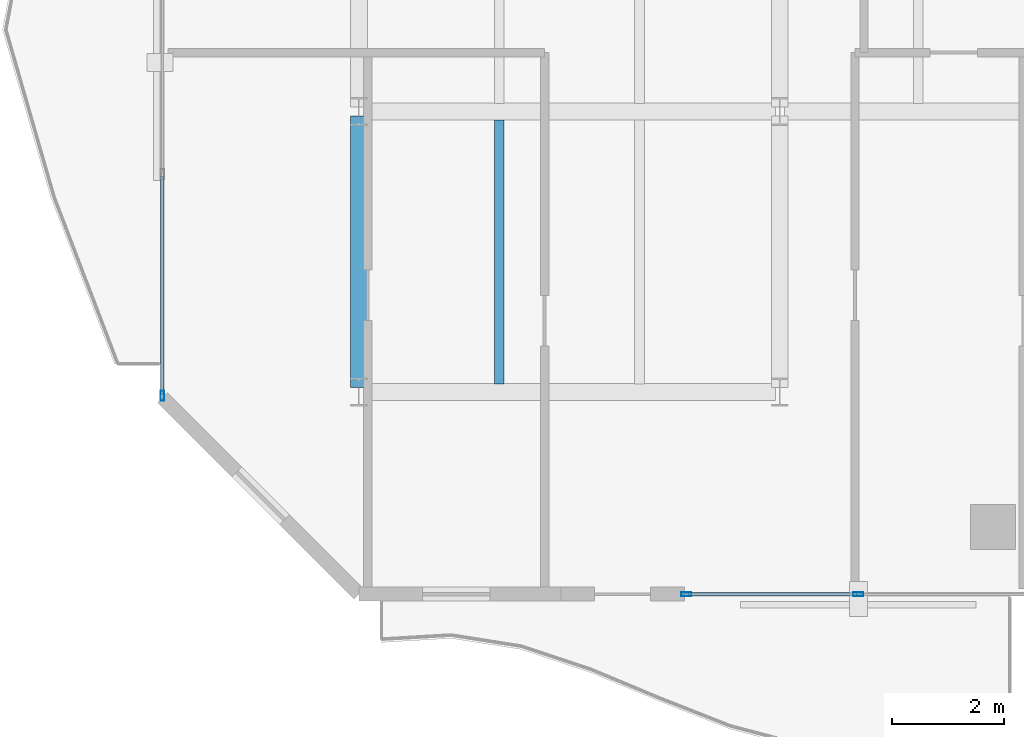
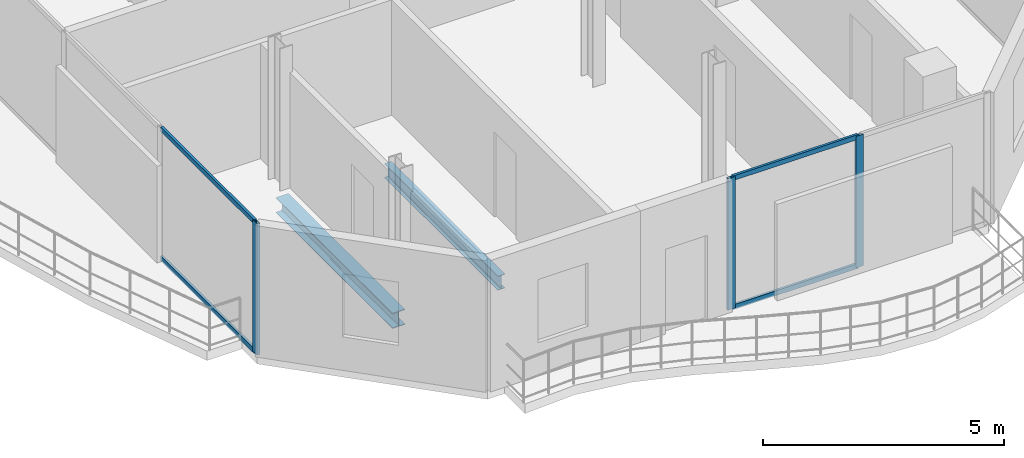
# One storey, part 3 of 23: 7 members, 2 beams, 2 elements without a shape of their own.
"""IFC4 building model written with IfcOpenShell, lengths in metres."""

from ifc_helpers import new_model, si_unit, direction, frame, origin, origin_2d, place, context, subcontext, project, spatial, hollow_rectangle, i_section, extrude, material, layer, layer_set, material_profile, profile_set, type_object, element, aggregate, save


model = new_model("IFC4")

# Units and contexts
model_context = context("Model", 3, precision=1e-05, world=origin(), true_north=direction((0.0, 1.0)))
body_context = subcontext(model_context, "Body", "Model", "MODEL_VIEW")
ifc_project = project(units=[si_unit("LENGTHUNIT", "METRE"), si_unit("AREAUNIT", "SQUARE_METRE"), si_unit("VOLUMEUNIT", "CUBIC_METRE"), si_unit("PLANEANGLEUNIT", "RADIAN"), si_unit("MASSUNIT", "GRAM", prefix="KILO")], contexts=[model_context])

# Site, building, storey
site_placement = place(None, origin())
site = spatial("IfcSite", under=ifc_project, at=site_placement, CompositionType="ELEMENT")
building_placement = place(site_placement, origin())
building = spatial("IfcBuilding", under=site, at=building_placement, Name="Catumbela Crestline Tower", CompositionType="ELEMENT")
storey_placement = place(building_placement, frame((0.0, 0.0, 168.6)))
storey = spatial("IfcBuildingStorey", under=building, at=storey_placement, Name="L43", CompositionType="ELEMENT", Elevation=168.6)

# Beams
ifc_material_1 = material(Name="Structural steel S355J2", Category="steel")
ifc_material_profile_1 = material_profile(ifc_material_1, i_section(OverallWidth=0.3, OverallDepth=0.39, WebThickness=0.011, FlangeThickness=0.019, FilletRadius=0.027, at=origin_2d()), Name="HEA 400")
ifc_profile_set_1 = profile_set([ifc_material_profile_1], Name="Structural steel S355J2")
beam_type_1 = type_object("IfcBeamType", Name="BG-HEA400", PredefinedType="BEAM", material=ifc_profile_set_1)
beam_1_placement = place(storey_placement, frame((8.5, 8.68, -0.455), z_axis=(0.0, 1.0, 0.0), x_axis=(-1.0, 0.0, 0.0)))
element("IfcBeam", 1, at=beam_1_placement, inside=storey, type_object=beam_type_1, Name="L43 Beam BM-L43-WNS37", PredefinedType="BEAM", context=body_context, shape_type="SweptSolid", body=[
    extrude(i_section(OverallWidth=0.3, OverallDepth=0.39, WebThickness=0.011, FlangeThickness=0.019, FilletRadius=0.027, at=origin_2d()), origin(), (0.0, 0.0, 1.0), 4.84),
])
ifc_material_profile_2 = material_profile(ifc_material_1, i_section(OverallWidth=0.17, OverallDepth=0.36, WebThickness=0.008, FlangeThickness=0.0127, FilletRadius=0.018, at=origin_2d()), Name="IPE 360")
ifc_profile_set_2 = profile_set([ifc_material_profile_2], Name="Structural steel S355J2")
beam_type_2 = type_object("IfcBeamType", Name="BJ-IPE360", PredefinedType="JOIST", material=ifc_profile_set_2)
beam_2_placement = place(storey_placement, frame((11.0, 8.747, -0.44), z_axis=(0.0, 1.0, 0.0), x_axis=(-1.0, 0.0, 0.0)))
element("IfcBeam", 2, at=beam_2_placement, inside=storey, type_object=beam_type_2, Name="L43 Joist JS-L43-WG44", PredefinedType="JOIST", context=body_context, shape_type="SweptSolid", body=[
    extrude(i_section(OverallWidth=0.17, OverallDepth=0.36, WebThickness=0.008, FlangeThickness=0.0127, FilletRadius=0.018, at=origin_2d()), origin(), (0.0, 0.0, 1.0), 4.706),
])

# Curtain wall, members
ifc_material_2 = material(Name="Aluminium alloy AW-6060-T66", Category="aluminium")
ifc_layer = layer(ifc_material_2, 0.18, Name="Aluminium alloy AW-6060-T66")
ifc_layer_set = layer_set([ifc_layer], Name="Aluminium alloy AW-6060-T66")
curtain_wall_type = type_object("IfcCurtainWallType", Name="CWU-Z3", PredefinedType="USERDEFINED", material=ifc_layer_set)
curtain_wall_1_placement = place(storey_placement, origin())
curtain_wall_1 = element("IfcCurtainWall", 3, at=curtain_wall_1_placement, inside=storey, type_object=curtain_wall_type, Name="L43 Unitised Curtain Wall CW-L43-E0S2", ObjectType="UNITISED", PredefinedType="USERDEFINED")
ifc_material_profile_3 = material_profile(ifc_material_2, hollow_rectangle(XDim=0.065, YDim=0.18, WallThickness=0.004, at=origin_2d()), Name="ALU 180x65x4")
ifc_profile_set_3 = profile_set([ifc_material_profile_3], Name="Aluminium alloy AW-6060-T66")
member_type_1 = type_object("IfcMemberType", Name="MUL-180X65", PredefinedType="MULLION", material=ifc_profile_set_3)
member_1_placement = place(storey_placement, frame((14.3325, 5.0, 0.0), z_axis=(0.0, 0.0, 1.0), x_axis=(0.0, 1.0, 0.0)))
member_1 = element("IfcMember", 4, at=member_1_placement, type_object=member_type_1, Name="CWU-Z3 mullion 1", PredefinedType="MULLION", context=body_context, shape_type="SweptSolid", body=[
    extrude(hollow_rectangle(XDim=0.065, YDim=0.18, WallThickness=0.004, at=origin_2d()), origin(), (0.0, 0.0, 1.0), 3.33),
])
member_2_placement = place(storey_placement, frame((17.4, 5.0, 0.0), z_axis=(0.0, 0.0, 1.0), x_axis=(0.0, 1.0, 0.0)))
member_2 = element("IfcMember", 5, at=member_2_placement, type_object=member_type_1, Name="CWU-Z3 mullion 2", PredefinedType="MULLION", context=body_context, shape_type="SweptSolid", body=[
    extrude(hollow_rectangle(XDim=0.065, YDim=0.18, WallThickness=0.004, at=origin_2d()), origin(), (0.0, 0.0, 1.0), 3.33),
])

# Curtain wall, member
curtain_wall_2_placement = place(storey_placement, origin())
curtain_wall_2 = element("IfcCurtainWall", 6, at=curtain_wall_2_placement, inside=storey, type_object=curtain_wall_type, Name="L43 Unitised Curtain Wall CW-L43-E9S2", ObjectType="UNITISED", PredefinedType="USERDEFINED")
member_3_placement = place(storey_placement, frame((5.0, 8.5325, 0.0), z_axis=(0.0, 0.0, 1.0), x_axis=(1.0, 0.0, 0.0)))
member_3 = element("IfcMember", 7, at=member_3_placement, type_object=member_type_1, Name="CWU-Z3 mullion 7", PredefinedType="MULLION", context=body_context, shape_type="SweptSolid", body=[
    extrude(hollow_rectangle(XDim=0.065, YDim=0.18, WallThickness=0.004, at=origin_2d()), origin(), (0.0, 0.0, 1.0), 3.33),
])

# Member
ifc_material_profile_4 = material_profile(ifc_material_2, hollow_rectangle(XDim=0.06, YDim=0.12, WallThickness=0.0035, at=origin_2d()), Name="ALU 120x60x3.5")
ifc_profile_set_4 = profile_set([ifc_material_profile_4], Name="Aluminium alloy AW-6060-T66")
member_type_2 = type_object("IfcMemberType", Name="TRN-120X60", PredefinedType="USERDEFINED", material=ifc_profile_set_4)
member_4_placement = place(storey_placement, frame((14.365, 5.0, 0.03), z_axis=(1.0, 0.0, 0.0), x_axis=(0.0, 1.0, 0.0)))
member_4 = element("IfcMember", 8, at=member_4_placement, type_object=member_type_2, Name="CWU-Z3 transom 1.1", ObjectType="TRANSOM", PredefinedType="USERDEFINED", context=body_context, shape_type="SweptSolid", body=[
    extrude(hollow_rectangle(XDim=0.06, YDim=0.12, WallThickness=0.0035, at=origin_2d()), origin(), (0.0, 0.0, 1.0), 3.0025),
])

member_5_placement = place(storey_placement, frame((14.365, 5.0, 3.3), z_axis=(1.0, 0.0, 0.0), x_axis=(0.0, 1.0, 0.0)))
member_5 = element("IfcMember", 9, at=member_5_placement, type_object=member_type_2, Name="CWU-Z3 transom 1.2", ObjectType="TRANSOM", PredefinedType="USERDEFINED", context=body_context, shape_type="SweptSolid", body=[
    extrude(hollow_rectangle(XDim=0.06, YDim=0.12, WallThickness=0.0035, at=origin_2d()), origin(), (0.0, 0.0, 1.0), 3.0025),
])

aggregate(curtain_wall_1, [member_1, member_2, member_4, member_5])

member_6_placement = place(storey_placement, frame((5.0, 12.4508, 0.03), z_axis=(0.0, -1.0, 0.0), x_axis=(1.0, 0.0, 0.0)))
member_6 = element("IfcMember", 10, at=member_6_placement, type_object=member_type_2, Name="CWU-Z3 transom 6.1", ObjectType="TRANSOM", PredefinedType="USERDEFINED", context=body_context, shape_type="SweptSolid", body=[
    extrude(hollow_rectangle(XDim=0.06, YDim=0.12, WallThickness=0.0035, at=origin_2d()), origin(), (0.0, 0.0, 1.0), 3.8858),
])

member_7_placement = place(storey_placement, frame((5.0, 12.4508, 3.3), z_axis=(0.0, -1.0, 0.0), x_axis=(1.0, 0.0, 0.0)))
member_7 = element("IfcMember", 11, at=member_7_placement, type_object=member_type_2, Name="CWU-Z3 transom 6.2", ObjectType="TRANSOM", PredefinedType="USERDEFINED", context=body_context, shape_type="SweptSolid", body=[
    extrude(hollow_rectangle(XDim=0.06, YDim=0.12, WallThickness=0.0035, at=origin_2d()), origin(), (0.0, 0.0, 1.0), 3.8858),
])

aggregate(curtain_wall_2, [member_3, member_6, member_7])

save(model, "model.ifc")
